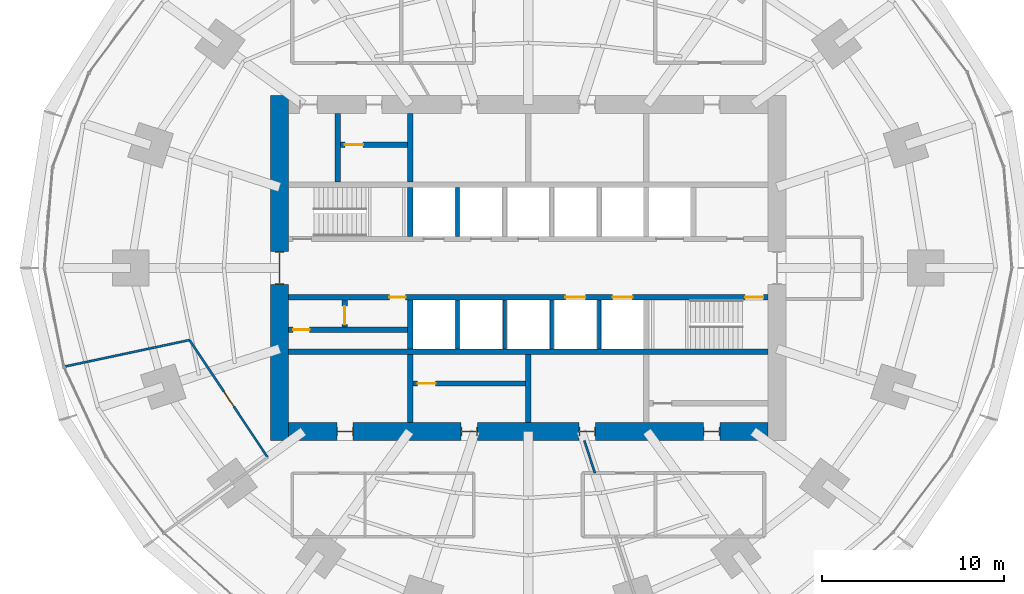
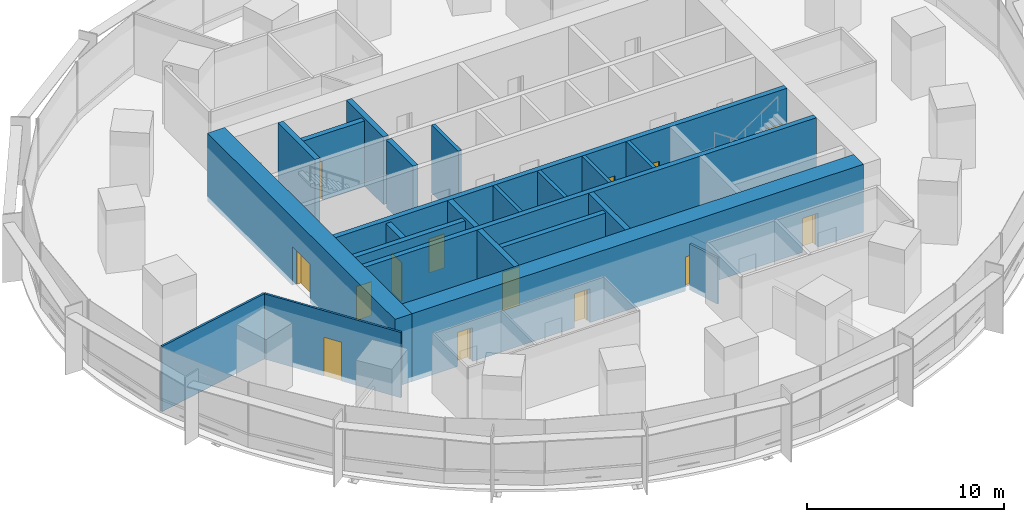
# One storey, part 11 of 15: 22 walls, 14 doors, 14 openings.
"""IFC4 building model written with IfcOpenShell, lengths in metres."""

from ifc_helpers import new_model, si_unit, direction, frame, frame_2d, origin, place, context, subcontext, project, spatial, rectangle, extrude, material, layer, layer_set, type_object, element, fill, save


model = new_model("IFC4")

# Units and contexts
model_context = context("Model", 3, precision=1e-05, world=origin(), true_north=direction((0.0, 1.0)))
body_context = subcontext(model_context, "Body", "Model", "MODEL_VIEW")
ifc_project = project(units=[si_unit("LENGTHUNIT", "METRE"), si_unit("AREAUNIT", "SQUARE_METRE"), si_unit("VOLUMEUNIT", "CUBIC_METRE"), si_unit("PLANEANGLEUNIT", "RADIAN"), si_unit("MASSUNIT", "GRAM", prefix="KILO")], contexts=[model_context])

# Site, building, storey
site_placement = place(None, origin())
site = spatial("IfcSite", under=ifc_project, at=site_placement, CompositionType="ELEMENT")
building_placement = place(site_placement, origin())
building = spatial("IfcBuilding", under=site, at=building_placement, Name="Marramba Exchange Tower", CompositionType="ELEMENT")
storey_placement = place(building_placement, frame((0.0, 0.0, 23.800048828125)))
storey = spatial("IfcBuildingStorey", under=building, at=storey_placement, Name="L05", CompositionType="ELEMENT", Elevation=23.800048828125)

# Walls
ifc_material_1 = material(Name="Concrete N50", Category="concrete")
ifc_layer_1 = layer(ifc_material_1, 0.199951171875)
ifc_layer_set_1 = layer_set([ifc_layer_1], Name="Core shaft wall 200")
wall_type_1 = type_object("IfcWallType", Name="Core shaft wall 200", PredefinedType="SHEAR", material=ifc_layer_set_1)
for number, where, z_axis, x_axis, name in (
    (1, (-3.89990234375, 1.75, 0.0), (0.0, 0.0, 1.0), (0.0, 1.0, 0.0), "Core wall SHN1 L05"),
    (2, (-3.89990234375, -1.75, 0.0), (0.0, 0.0, 1.0), (0.0, -1.0, 0.0), "Core wall SHS1 L05"),
    (3, (-1.300048828125, -1.75, 0.0), (0.0, 0.0, 1.0), (0.0, -1.0, 0.0), "Core wall SHS2 L05"),
    (4, (1.300048828125, -1.75, 0.0), (0.0, 0.0, 1.0), (0.0, -1.0, 0.0), "Core wall SHS3 L05"),
    (5, (3.89990234375, -1.75, 0.0), (0.0, 0.0, 1.0), (0.0, -1.0, 0.0), "Core wall SHS4 L05"),
):
    element("IfcWall", number, at=place(storey_placement, frame(where, z_axis=z_axis, x_axis=x_axis)), inside=storey, type_object=wall_type_1, Name=name, PredefinedType="SHEAR", context=body_context, shape_type="SweptSolid", body=[
        extrude(rectangle(XDim=2.699951171875, YDim=0.199951171875, at=frame_2d((1.35009765625, 0.0))), origin(), (0.0, 0.0, 1.0), 4.199951171875),
    ])

# Wall, openings, doors
ifc_layer_2 = layer(ifc_material_1, 1.0)
ifc_layer_set_2 = layer_set([ifc_layer_2], Name="Core wall 1000")
wall_type_2 = type_object("IfcWallType", Name="Core wall 1000", PredefinedType="SHEAR", material=ifc_layer_set_2)
wall_1_placement = place(storey_placement, frame((-13.199951171875, -9.0, 0.0), z_axis=(0.0, 0.0, 1.0), x_axis=(1.0, 0.0, 0.0)))
wall_1 = element("IfcWall", 6, at=wall_1_placement, inside=storey, type_object=wall_type_2, Name="Core wall S L05", PredefinedType="SHEAR", context=body_context, shape_type="SweptSolid", body=[
    extrude(rectangle(XDim=26.39990234375, YDim=1.0, at=frame_2d((13.199951171875, 0.0))), origin(), (0.0, 0.0, 1.0), 4.199951171875),
])
opening_1_placement = place(wall_1_placement, frame((2.64990234375, 0.0, 0.0)))
opening_1 = element("IfcOpeningElement", 7, at=opening_1_placement, cuts=wall_1, Name="Opening D5", PredefinedType="OPENING", context=body_context, shape_type="SweptSolid", body=[
    extrude(rectangle(XDim=0.89990234375, YDim=2.10009765625, at=frame_2d((0.449951171875, 1.050048828125))), frame((0.0, 0.510009765625, 0.0), z_axis=(0.0, -1.0, 0.0), x_axis=(1.0, 0.0, 0.0)), (0.0, 0.0, 1.0), 1.02001953125),
])
opening_2_placement = place(wall_1_placement, frame((9.5, 0.0, 0.0)))
opening_2 = element("IfcOpeningElement", 8, at=opening_2_placement, cuts=wall_1, Name="Opening D5", PredefinedType="OPENING", context=body_context, shape_type="SweptSolid", body=[
    extrude(rectangle(XDim=0.89990234375, YDim=2.10009765625, at=frame_2d((0.449951171875, 1.050048828125))), frame((0.0, 0.510009765625, 0.0), z_axis=(0.0, -1.0, 0.0), x_axis=(1.0, 0.0, 0.0)), (0.0, 0.0, 1.0), 1.02001953125),
])
opening_3_placement = place(wall_1_placement, frame((16.0, 0.0, 0.0)))
opening_3 = element("IfcOpeningElement", 9, at=opening_3_placement, cuts=wall_1, Name="Opening D5", PredefinedType="OPENING", context=body_context, shape_type="SweptSolid", body=[
    extrude(rectangle(XDim=0.89990234375, YDim=2.10009765625, at=frame_2d((0.449951171875, 1.050048828125))), frame((0.0, 0.510009765625, 0.0), z_axis=(0.0, -1.0, 0.0), x_axis=(1.0, 0.0, 0.0)), (0.0, 0.0, 1.0), 1.02001953125),
])
opening_4_placement = place(wall_1_placement, frame((22.85009765625, 0.0, 0.0)))
opening_4 = element("IfcOpeningElement", 10, at=opening_4_placement, cuts=wall_1, Name="Opening D5", PredefinedType="OPENING", context=body_context, shape_type="SweptSolid", body=[
    extrude(rectangle(XDim=0.89990234375, YDim=2.10009765625, at=frame_2d((0.449951171875, 1.050048828125))), frame((0.0, 0.510009765625, 0.0), z_axis=(0.0, -1.0, 0.0), x_axis=(1.0, 0.0, 0.0)), (0.0, 0.0, 1.0), 1.02001953125),
])
ifc_material_2 = material(Name="Steel-framed door", Category="steel")
door_type_1 = type_object("IfcDoorType", Name="Service door 900x2100", OperationType="SINGLE_SWING_LEFT", PredefinedType="DOOR", material=ifc_material_2)
door_1_placement = place(opening_1_placement, origin())
door_1 = element("IfcDoor", 11, at=door_1_placement, inside=storey, type_object=door_type_1, Name="D5 ahu L05", OperationType="SINGLE_SWING_LEFT", OverallHeight=2.10009765625, OverallWidth=0.89990234375, PredefinedType="DOOR", context=body_context, shape_type="SweptSolid", body=[
    extrude(rectangle(XDim=0.81982421875, YDim=2.06005859375, at=frame_2d((0.449951171875, 1.030029296875))), frame((0.0, 0.02490234375, 0.0), z_axis=(0.0, -1.0, 0.0), x_axis=(1.0, 0.0, 0.0)), (0.0, 0.0, 1.0), 0.050048828125),
    extrude(rectangle(XDim=0.04, YDim=2.10009765625, at=frame_2d((0.02001953125, 1.050048828125))), frame((0.0, 0.25, 0.0), z_axis=(0.0, -1.0, 0.0), x_axis=(1.0, 0.0, 0.0)), (0.0, 0.0, 1.0), 0.5),
    extrude(rectangle(XDim=0.04, YDim=2.10009765625, at=frame_2d((0.8798828125, 1.050048828125))), frame((0.0, 0.25, 0.0), z_axis=(0.0, -1.0, 0.0), x_axis=(1.0, 0.0, 0.0)), (0.0, 0.0, 1.0), 0.5),
    extrude(rectangle(XDim=0.81982421875, YDim=0.04, at=frame_2d((0.449951171875, 2.080078125))), frame((0.0, 0.25, 0.0), z_axis=(0.0, -1.0, 0.0), x_axis=(1.0, 0.0, 0.0)), (0.0, 0.0, 1.0), 0.5),
])
fill(opening_1, door_1)
door_2_placement = place(opening_2_placement, origin())
door_2 = element("IfcDoor", 12, at=door_2_placement, inside=storey, type_object=door_type_1, Name="D5 store L05", OperationType="SINGLE_SWING_RIGHT", OverallHeight=2.10009765625, OverallWidth=0.89990234375, PredefinedType="DOOR", context=body_context, shape_type="SweptSolid", body=[
    extrude(rectangle(XDim=0.81982421875, YDim=2.06005859375, at=frame_2d((0.449951171875, 1.030029296875))), frame((0.0, 0.02490234375, 0.0), z_axis=(0.0, -1.0, 0.0), x_axis=(1.0, 0.0, 0.0)), (0.0, 0.0, 1.0), 0.050048828125),
    extrude(rectangle(XDim=0.04, YDim=2.10009765625, at=frame_2d((0.02001953125, 1.050048828125))), frame((0.0, 0.25, 0.0), z_axis=(0.0, -1.0, 0.0), x_axis=(1.0, 0.0, 0.0)), (0.0, 0.0, 1.0), 0.5),
    extrude(rectangle(XDim=0.04, YDim=2.10009765625, at=frame_2d((0.8798828125, 1.050048828125))), frame((0.0, 0.25, 0.0), z_axis=(0.0, -1.0, 0.0), x_axis=(1.0, 0.0, 0.0)), (0.0, 0.0, 1.0), 0.5),
    extrude(rectangle(XDim=0.81982421875, YDim=0.04, at=frame_2d((0.449951171875, 2.080078125))), frame((0.0, 0.25, 0.0), z_axis=(0.0, -1.0, 0.0), x_axis=(1.0, 0.0, 0.0)), (0.0, 0.0, 1.0), 0.5),
])
fill(opening_2, door_2)
door_3_placement = place(opening_3_placement, origin())
door_3 = element("IfcDoor", 13, at=door_3_placement, inside=storey, type_object=door_type_1, Name="D5 switch L05", OperationType="SINGLE_SWING_RIGHT", OverallHeight=2.10009765625, OverallWidth=0.89990234375, PredefinedType="DOOR", context=body_context, shape_type="SweptSolid", body=[
    extrude(rectangle(XDim=0.81982421875, YDim=2.06005859375, at=frame_2d((0.449951171875, 1.030029296875))), frame((0.0, 0.02490234375, 0.0), z_axis=(0.0, -1.0, 0.0), x_axis=(1.0, 0.0, 0.0)), (0.0, 0.0, 1.0), 0.050048828125),
    extrude(rectangle(XDim=0.04, YDim=2.10009765625, at=frame_2d((0.02001953125, 1.050048828125))), frame((0.0, 0.25, 0.0), z_axis=(0.0, -1.0, 0.0), x_axis=(1.0, 0.0, 0.0)), (0.0, 0.0, 1.0), 0.5),
    extrude(rectangle(XDim=0.04, YDim=2.10009765625, at=frame_2d((0.8798828125, 1.050048828125))), frame((0.0, 0.25, 0.0), z_axis=(0.0, -1.0, 0.0), x_axis=(1.0, 0.0, 0.0)), (0.0, 0.0, 1.0), 0.5),
    extrude(rectangle(XDim=0.81982421875, YDim=0.04, at=frame_2d((0.449951171875, 2.080078125))), frame((0.0, 0.25, 0.0), z_axis=(0.0, -1.0, 0.0), x_axis=(1.0, 0.0, 0.0)), (0.0, 0.0, 1.0), 0.5),
])
fill(opening_3, door_3)
door_4_placement = place(opening_4_placement, origin())
door_4 = element("IfcDoor", 14, at=door_4_placement, inside=storey, type_object=door_type_1, Name="D5 cstore L05", OperationType="SINGLE_SWING_RIGHT", OverallHeight=2.10009765625, OverallWidth=0.89990234375, PredefinedType="DOOR", context=body_context, shape_type="SweptSolid", body=[
    extrude(rectangle(XDim=0.81982421875, YDim=2.06005859375, at=frame_2d((0.449951171875, 1.030029296875))), frame((0.0, 0.02490234375, 0.0), z_axis=(0.0, -1.0, 0.0), x_axis=(1.0, 0.0, 0.0)), (0.0, 0.0, 1.0), 0.050048828125),
    extrude(rectangle(XDim=0.04, YDim=2.10009765625, at=frame_2d((0.02001953125, 1.050048828125))), frame((0.0, 0.25, 0.0), z_axis=(0.0, -1.0, 0.0), x_axis=(1.0, 0.0, 0.0)), (0.0, 0.0, 1.0), 0.5),
    extrude(rectangle(XDim=0.04, YDim=2.10009765625, at=frame_2d((0.8798828125, 1.050048828125))), frame((0.0, 0.25, 0.0), z_axis=(0.0, -1.0, 0.0), x_axis=(1.0, 0.0, 0.0)), (0.0, 0.0, 1.0), 0.5),
    extrude(rectangle(XDim=0.81982421875, YDim=0.04, at=frame_2d((0.449951171875, 2.080078125))), frame((0.0, 0.25, 0.0), z_axis=(0.0, -1.0, 0.0), x_axis=(1.0, 0.0, 0.0)), (0.0, 0.0, 1.0), 0.5),
])
fill(opening_4, door_4)

# Wall, opening, door
wall_2_placement = place(storey_placement, frame((-13.699951171875, 9.5, 0.0), z_axis=(0.0, 0.0, 1.0), x_axis=(0.0, -1.0, 0.0)))
wall_2 = element("IfcWall", 15, at=wall_2_placement, inside=storey, type_object=wall_type_2, Name="Core wall W L05", PredefinedType="SHEAR", context=body_context, shape_type="SweptSolid", body=[
    extrude(rectangle(XDim=19.0, YDim=1.0, at=frame_2d((9.5, 0.0))), origin(), (0.0, 0.0, 1.0), 4.199951171875),
])
opening_5_placement = place(wall_2_placement, frame((8.60009765625, 0.0, 0.0)))
opening_5 = element("IfcOpeningElement", 16, at=opening_5_placement, cuts=wall_2, Name="Opening D1", PredefinedType="OPENING", context=body_context, shape_type="SweptSolid", body=[
    extrude(rectangle(XDim=1.800048828125, YDim=2.39990234375, at=frame_2d((0.89990234375, 1.199951171875))), frame((0.0, 0.510009765625, 0.0), z_axis=(0.0, -1.0, 0.0), x_axis=(1.0, 0.0, 0.0)), (0.0, 0.0, 1.0), 1.02001953125),
])
door_type_2 = type_object("IfcDoorType", Name="Lobby exit door 1800x2400", OperationType="DOUBLE_DOOR_SINGLE_SWING", PredefinedType="DOOR", material=ifc_material_2)
door_5_placement = place(opening_5_placement, origin())
door_5 = element("IfcDoor", 17, at=door_5_placement, inside=storey, type_object=door_type_2, Name="D1 lobby exit west L05", OperationType="DOUBLE_DOOR_SINGLE_SWING", OverallHeight=2.39990234375, OverallWidth=1.800048828125, PredefinedType="DOOR", context=body_context, shape_type="SweptSolid", body=[
    extrude(rectangle(XDim=1.719970703125, YDim=2.35986328125, at=frame_2d((0.89990234375, 1.179931640625))), frame((0.0, 0.02490234375, 0.0), z_axis=(0.0, -1.0, 0.0), x_axis=(1.0, 0.0, 0.0)), (0.0, 0.0, 1.0), 0.050048828125),
    extrude(rectangle(XDim=0.04, YDim=2.39990234375, at=frame_2d((0.02001953125, 1.199951171875))), frame((0.0, 0.25, 0.0), z_axis=(0.0, -1.0, 0.0), x_axis=(1.0, 0.0, 0.0)), (0.0, 0.0, 1.0), 0.5),
    extrude(rectangle(XDim=0.04, YDim=2.39990234375, at=frame_2d((1.780029296875, 1.199951171875))), frame((0.0, 0.25, 0.0), z_axis=(0.0, -1.0, 0.0), x_axis=(1.0, 0.0, 0.0)), (0.0, 0.0, 1.0), 0.5),
    extrude(rectangle(XDim=1.719970703125, YDim=0.04, at=frame_2d((0.89990234375, 2.3798828125))), frame((0.0, 0.25, 0.0), z_axis=(0.0, -1.0, 0.0), x_axis=(1.0, 0.0, 0.0)), (0.0, 0.0, 1.0), 0.5),
])
fill(opening_5, door_5)

# Wall, openings, doors
ifc_layer_3 = layer(ifc_material_1, 0.300048828125)
ifc_layer_set_3 = layer_set([ifc_layer_3], Name="Core wall 300")
wall_type_3 = type_object("IfcWallType", Name="Core wall 300", PredefinedType="SHEAR", material=ifc_layer_set_3)
wall_3_placement = place(storey_placement, frame((-13.199951171875, -1.60009765625, 0.0), z_axis=(0.0, 0.0, 1.0), x_axis=(1.0, 0.0, 0.0)))
wall_3 = element("IfcWall", 18, at=wall_3_placement, inside=storey, type_object=wall_type_3, Name="Core wall LS L05", PredefinedType="SHEAR", context=body_context, shape_type="SweptSolid", body=[
    extrude(rectangle(XDim=26.39990234375, YDim=0.300048828125, at=frame_2d((13.199951171875, 0.0))), origin(), (0.0, 0.0, 1.0), 4.199951171875),
])
opening_6_placement = place(wall_3_placement, frame((25.14990234375, 0.0, 0.0)))
opening_6 = element("IfcOpeningElement", 19, at=opening_6_placement, cuts=wall_3, Name="Opening D2", PredefinedType="OPENING", context=body_context, shape_type="SweptSolid", body=[
    extrude(rectangle(XDim=1.0, YDim=2.10009765625, at=frame_2d((0.5, 1.050048828125))), frame((0.0, 0.159912109375, 0.0), z_axis=(0.0, -1.0, 0.0), x_axis=(1.0, 0.0, 0.0)), (0.0, 0.0, 1.0), 0.320068359375),
])
opening_7_placement = place(wall_3_placement, frame((15.25, 0.0, 0.0)))
opening_7 = element("IfcOpeningElement", 20, at=opening_7_placement, cuts=wall_3, Name="Opening LD2", PredefinedType="OPENING", context=body_context, shape_type="SweptSolid", body=[
    extrude(rectangle(XDim=1.10009765625, YDim=2.300048828125, at=frame_2d((0.550048828125, 1.14990234375))), frame((0.0, 0.159912109375, 0.0), z_axis=(0.0, -1.0, 0.0), x_axis=(1.0, 0.0, 0.0)), (0.0, 0.0, 1.0), 0.320068359375),
])
opening_8_placement = place(wall_3_placement, frame((17.85009765625, 0.0, 0.0)))
opening_8 = element("IfcOpeningElement", 21, at=opening_8_placement, cuts=wall_3, Name="Opening LD2", PredefinedType="OPENING", context=body_context, shape_type="SweptSolid", body=[
    extrude(rectangle(XDim=1.10009765625, YDim=2.300048828125, at=frame_2d((0.550048828125, 1.14990234375))), frame((0.0, 0.159912109375, 0.0), z_axis=(0.0, -1.0, 0.0), x_axis=(1.0, 0.0, 0.0)), (0.0, 0.0, 1.0), 0.320068359375),
])
opening_9_placement = place(wall_3_placement, frame((5.550048828125, 0.0, 0.0)))
opening_9 = element("IfcOpeningElement", 22, at=opening_9_placement, cuts=wall_3, Name="Opening D5", PredefinedType="OPENING", context=body_context, shape_type="SweptSolid", body=[
    extrude(rectangle(XDim=0.89990234375, YDim=2.10009765625, at=frame_2d((0.449951171875, 1.050048828125))), frame((0.0, 0.159912109375, 0.0), z_axis=(0.0, -1.0, 0.0), x_axis=(1.0, 0.0, 0.0)), (0.0, 0.0, 1.0), 0.320068359375),
])
door_type_3 = type_object("IfcDoorType", Name="Emergency lift landing door 1100x2300", OperationType="SLIDING_TO_LEFT", PredefinedType="DOOR", material=ifc_material_2)
door_6_placement = place(opening_7_placement, frame((1.10009765625, 0.0, 0.0), z_axis=(0.0, 0.0, 1.0), x_axis=(-1.0, 0.0, 0.0)))
door_6 = element("IfcDoor", 23, at=door_6_placement, inside=storey, type_object=door_type_3, Name="FL1 landing door L05", OperationType="SLIDING_TO_RIGHT", OverallHeight=2.300048828125, OverallWidth=1.10009765625, PredefinedType="DOOR", context=body_context, shape_type="SweptSolid", body=[
    extrude(rectangle(XDim=1.10009765625, YDim=2.300048828125, at=frame_2d((0.550048828125, 1.14990234375))), frame((0.0, 0.025146484375, 0.0), z_axis=(0.0, -1.0, 0.0), x_axis=(1.0, 0.0, 0.0)), (0.0, 0.0, 1.0), 0.050048828125),
])
fill(opening_7, door_6)
door_7_placement = place(opening_8_placement, frame((1.10009765625, 0.0, 0.0), z_axis=(0.0, 0.0, 1.0), x_axis=(-1.0, 0.0, 0.0)))
door_7 = element("IfcDoor", 24, at=door_7_placement, inside=storey, type_object=door_type_3, Name="FL2 landing door L05", OperationType="SLIDING_TO_LEFT", OverallHeight=2.300048828125, OverallWidth=1.10009765625, PredefinedType="DOOR", context=body_context, shape_type="SweptSolid", body=[
    extrude(rectangle(XDim=1.10009765625, YDim=2.300048828125, at=frame_2d((0.550048828125, 1.14990234375))), frame((0.0, 0.025146484375, 0.0), z_axis=(0.0, -1.0, 0.0), x_axis=(1.0, 0.0, 0.0)), (0.0, 0.0, 1.0), 0.050048828125),
])
fill(opening_8, door_7)
door_8_placement = place(opening_9_placement, frame((0.89990234375, 0.0, 0.0), z_axis=(0.0, 0.0, 1.0), x_axis=(-1.0, 0.0, 0.0)))
door_8 = element("IfcDoor", 25, at=door_8_placement, inside=storey, type_object=door_type_1, Name="D5 electrical riser L05", OperationType="SINGLE_SWING_LEFT", OverallHeight=2.10009765625, OverallWidth=0.89990234375, PredefinedType="DOOR", context=body_context, shape_type="SweptSolid", body=[
    extrude(rectangle(XDim=0.89990234375, YDim=2.10009765625, at=frame_2d((0.449951171875, 1.050048828125))), frame((0.0, 0.025146484375, 0.0), z_axis=(0.0, -1.0, 0.0), x_axis=(1.0, 0.0, 0.0)), (0.0, 0.0, 1.0), 0.050048828125),
])
fill(opening_9, door_8)
door_type_4 = type_object("IfcDoorType", Name="Stair door 1000x2100", OperationType="SINGLE_SWING_LEFT", PredefinedType="DOOR", material=ifc_material_2)
door_9_placement = place(opening_6_placement, frame((1.0, 0.0, 0.0), z_axis=(0.0, 0.0, 1.0), x_axis=(-1.0, 0.0, 0.0)))
door_9 = element("IfcDoor", 26, at=door_9_placement, inside=storey, type_object=door_type_4, Name="D2 stair ST2 L05", OperationType="SINGLE_SWING_LEFT", OverallHeight=2.10009765625, OverallWidth=1.0, PredefinedType="DOOR", context=body_context, shape_type="SweptSolid", body=[
    extrude(rectangle(XDim=1.0, YDim=2.10009765625, at=frame_2d((0.5, 1.050048828125))), frame((0.0, 0.025146484375, 0.0), z_axis=(0.0, -1.0, 0.0), x_axis=(1.0, 0.0, 0.0)), (0.0, 0.0, 1.0), 0.050048828125),
])
fill(opening_6, door_9)

# Walls
wall_4_placement = place(storey_placement, frame((-13.199951171875, -4.60009765625, 0.0), z_axis=(0.0, 0.0, 1.0), x_axis=(1.0, 0.0, 0.0)))
element("IfcWall", 27, at=wall_4_placement, inside=storey, type_object=wall_type_3, Name="Core wall BS L05", PredefinedType="SHEAR", context=body_context, shape_type="SweptSolid", body=[
    extrude(rectangle(XDim=26.39990234375, YDim=0.300048828125, at=frame_2d((13.199951171875, 0.0))), origin(), (0.0, 0.0, 1.0), 4.199951171875),
])
wall_5_placement = place(storey_placement, frame((-6.5, 1.75, 0.0), z_axis=(0.0, 0.0, 1.0), x_axis=(0.0, 1.0, 0.0)))
element("IfcWall", 28, at=wall_5_placement, inside=storey, type_object=wall_type_3, Name="Core wall X0Na L05", PredefinedType="SHEAR", context=body_context, shape_type="SweptSolid", body=[
    extrude(rectangle(XDim=2.699951171875, YDim=0.300048828125, at=frame_2d((1.35009765625, 0.0))), origin(), (0.0, 0.0, 1.0), 4.199951171875),
])
wall_6_placement = place(storey_placement, frame((-6.5, 4.75, 0.0), z_axis=(0.0, 0.0, 1.0), x_axis=(0.0, 1.0, 0.0)))
element("IfcWall", 29, at=wall_6_placement, inside=storey, type_object=wall_type_3, Name="Core wall X0Nb L05", PredefinedType="SHEAR", context=body_context, shape_type="SweptSolid", body=[
    extrude(rectangle(XDim=3.75, YDim=0.300048828125, at=frame_2d((1.875, 0.0))), origin(), (0.0, 0.0, 1.0), 4.199951171875),
])
wall_7_placement = place(storey_placement, frame((-6.5, -1.75, 0.0), z_axis=(0.0, 0.0, 1.0), x_axis=(0.0, -1.0, 0.0)))
element("IfcWall", 30, at=wall_7_placement, inside=storey, type_object=wall_type_3, Name="Core wall X0Sa L05", PredefinedType="SHEAR", context=body_context, shape_type="SweptSolid", body=[
    extrude(rectangle(XDim=2.699951171875, YDim=0.300048828125, at=frame_2d((1.35009765625, 0.0))), origin(), (0.0, 0.0, 1.0), 4.199951171875),
])
for number, where, z_axis, x_axis, name in (
    (31, (-6.5, -4.75, 0.0), (0.0, 0.0, 1.0), (0.0, -1.0, 0.0), "Core wall X0Sb L05"),
    (32, (0.0, -4.75, 0.0), (0.0, 0.0, 1.0), (0.0, -1.0, 0.0), "Core wall MS L05"),
    (33, (-10.5, 4.75, 0.0), (0.0, 0.0, 1.0), (0.0, 1.0, 0.0), "Core wall WD L05"),
):
    element("IfcWall", number, at=place(storey_placement, frame(where, z_axis=z_axis, x_axis=x_axis)), inside=storey, type_object=wall_type_3, Name=name, PredefinedType="SHEAR", context=body_context, shape_type="SweptSolid", body=[
        extrude(rectangle(XDim=3.75, YDim=0.300048828125, at=frame_2d((1.875, 0.0))), origin(), (0.0, 0.0, 1.0), 4.199951171875),
    ])
ifc_material_3 = material(Name="Plasterboard on steel studs", Category="steel")
ifc_layer_4 = layer(ifc_material_3, 0.1201171875)
ifc_layer_set_4 = layer_set([ifc_layer_4], Name="Partition 120")
wall_type_4 = type_object("IfcWallType", Name="Partition 120", PredefinedType="PARTITIONING", material=ifc_layer_set_4)
wall_8_placement = place(storey_placement, frame((-18.659423828125, -3.96630859375, 0.0), z_axis=(0.0, 0.0, 1.0), x_axis=(-0.978148655968, -0.207906726269, 0.0)))
element("IfcWall", 34, at=wall_8_placement, inside=storey, type_object=wall_type_4, Name="Partition L05 01", PredefinedType="PARTITIONING", context=body_context, shape_type="SweptSolid", body=[
    extrude(rectangle(XDim=7.0, YDim=0.1201171875, at=frame_2d((3.5, 0.0))), origin(), (0.0, 0.0, 1.0), 4.0400390625),
])

# Wall, opening, door
wall_9_placement = place(storey_placement, frame((-14.357666015625, -10.431396484375, 0.0), z_axis=(0.0, 0.0, 1.0), x_axis=(-0.553959944771, 0.832543319948, 0.0)))
wall_9 = element("IfcWall", 35, at=wall_9_placement, inside=storey, type_object=wall_type_4, Name="Partition L05 02", PredefinedType="PARTITIONING", context=body_context, shape_type="SweptSolid", body=[
    extrude(rectangle(XDim=7.765380859375, YDim=0.1201171875, at=frame_2d((3.8828125, 0.0))), origin(), (0.0, 0.0, 1.0), 4.0400390625),
])
opening_10_placement = place(wall_9_placement, frame((3.35791015625, 0.0, 0.0)))
opening_10 = element("IfcOpeningElement", 36, at=opening_10_placement, cuts=wall_9, Name="Opening D9", PredefinedType="OPENING", context=body_context, shape_type="SweptSolid", body=[
    extrude(rectangle(XDim=1.0, YDim=2.39990234375, at=frame_2d((0.5, 1.199951171875))), frame((0.0, 0.070068359375, 0.0), z_axis=(0.0, -1.0, 0.0), x_axis=(1.0, 0.0, 0.0)), (0.0, 0.0, 1.0), 0.14013671875),
])
ifc_material_4 = material(Name="Timber door", Category="wood")
door_type_5 = type_object("IfcDoorType", Name="Room door 1000x2400", OperationType="SINGLE_SWING_LEFT", PredefinedType="DOOR", material=ifc_material_4)
door_10_placement = place(opening_10_placement, origin())
door_10 = element("IfcDoor", 37, at=door_10_placement, inside=storey, type_object=door_type_5, Name="D9 Head of Desk Office L05", OperationType="SINGLE_SWING_LEFT", OverallHeight=2.39990234375, OverallWidth=1.0, PredefinedType="DOOR", context=body_context, shape_type="SweptSolid", body=[
    extrude(rectangle(XDim=1.0, YDim=2.39990234375, at=frame_2d((0.5, 1.199951171875))), frame((0.0, 0.02490234375, 0.0), z_axis=(0.0, -1.0, 0.0), x_axis=(1.0, 0.0, 0.0)), (0.0, 0.0, 1.0), 0.050048828125),
])
fill(opening_10, door_10)

# Wall
wall_10_placement = place(storey_placement, frame((3.671630859375, -11.300048828125, 0.0), z_axis=(0.0, 0.0, 1.0), x_axis=(-0.309059822154, 0.95104259964, 0.0)))
element("IfcWall", 38, at=wall_10_placement, inside=storey, type_object=wall_type_4, Name="Partition L05 10", PredefinedType="PARTITIONING", context=body_context, shape_type="SweptSolid", body=[
    extrude(rectangle(XDim=1.892822265625, YDim=0.1201171875, at=frame_2d((0.9462890625, 0.0))), origin(), (0.0, 0.0, 1.0), 2.83984375),
])

# Wall, opening, door
ifc_material_5 = material(Name="Core-filled concrete blockwork", Category="masonry")
ifc_layer_5 = layer(ifc_material_5, 0.300048828125)
ifc_layer_set_5 = layer_set([ifc_layer_5], Name="Riser enclosure wall 300")
wall_type_5 = type_object("IfcWallType", Name="Riser enclosure wall 300", PredefinedType="SOLIDWALL", material=ifc_layer_set_5)
wall_11_placement = place(storey_placement, frame((-13.199951171875, -3.39990234375, 0.0), z_axis=(0.0, 0.0, 1.0), x_axis=(1.0, 0.0, 0.0)))
wall_11 = element("IfcWall", 39, at=wall_11_placement, inside=storey, type_object=wall_type_5, Name="Riser enclosure wall L05", PredefinedType="SOLIDWALL", context=body_context, shape_type="SweptSolid", body=[
    extrude(rectangle(XDim=6.550048828125, YDim=0.300048828125, at=frame_2d((3.27490234375, 0.0))), origin(), (0.0, 0.0, 1.0), 4.0400390625),
])
opening_11_placement = place(wall_11_placement, frame((0.25, 0.0, 0.0)))
opening_11 = element("IfcOpeningElement", 40, at=opening_11_placement, cuts=wall_11, Name="Opening D5", PredefinedType="OPENING", context=body_context, shape_type="SweptSolid", body=[
    extrude(rectangle(XDim=0.89990234375, YDim=2.10009765625, at=frame_2d((0.449951171875, 1.050048828125))), frame((0.0, 0.159912109375, 0.0), z_axis=(0.0, -1.0, 0.0), x_axis=(1.0, 0.0, 0.0)), (0.0, 0.0, 1.0), 0.320068359375),
])
door_11_placement = place(opening_11_placement, origin())
door_11 = element("IfcDoor", 41, at=door_11_placement, inside=storey, type_object=door_type_1, Name="D5 electrical riser back L05", OperationType="SINGLE_SWING_LEFT", OverallHeight=2.10009765625, OverallWidth=0.89990234375, PredefinedType="DOOR", context=body_context, shape_type="SweptSolid", body=[
    extrude(rectangle(XDim=0.89990234375, YDim=2.10009765625, at=frame_2d((0.449951171875, 1.050048828125))), frame((0.0, 0.02490234375, 0.0), z_axis=(0.0, -1.0, 0.0), x_axis=(1.0, 0.0, 0.0)), (0.0, 0.0, 1.0), 0.050048828125),
])
fill(opening_11, door_11)

ifc_material_6 = material(Name="Plasterboard on steel studs, insulated, unrated", Category="steel")
ifc_layer_6 = layer(ifc_material_6, 0.300048828125)
ifc_layer_set_6 = layer_set([ifc_layer_6], Name="Store partition 300")
wall_type_6 = type_object("IfcWallType", Name="Store partition 300", PredefinedType="PARTITIONING", material=ifc_layer_set_6)
wall_12_placement = place(storey_placement, frame((-10.35009765625, 6.800048828125, 0.0), z_axis=(0.0, 0.0, 1.0), x_axis=(1.0, 0.0, 0.0)))
wall_12 = element("IfcWall", 42, at=wall_12_placement, inside=storey, type_object=wall_type_6, Name="Store partition L05 cleaner", PredefinedType="PARTITIONING", context=body_context, shape_type="SweptSolid", body=[
    extrude(rectangle(XDim=3.7001953125, YDim=0.300048828125, at=frame_2d((1.85009765625, 0.0))), origin(), (0.0, 0.0, 1.0), 4.0400390625),
])
opening_12_placement = place(wall_12_placement, frame((0.25, 0.0, 0.0)))
opening_12 = element("IfcOpeningElement", 43, at=opening_12_placement, cuts=wall_12, Name="Opening D9", PredefinedType="OPENING", context=body_context, shape_type="SweptSolid", body=[
    extrude(rectangle(XDim=1.0, YDim=2.39990234375, at=frame_2d((0.5, 1.199951171875))), frame((0.0, 0.159912109375, 0.0), z_axis=(0.0, -1.0, 0.0), x_axis=(1.0, 0.0, 0.0)), (0.0, 0.0, 1.0), 0.320068359375),
])
door_12_placement = place(opening_12_placement, origin())
door_12 = element("IfcDoor", 44, at=door_12_placement, inside=storey, type_object=door_type_5, Name="D9 cleaning store L05", OperationType="SINGLE_SWING_LEFT", OverallHeight=2.39990234375, OverallWidth=1.0, PredefinedType="DOOR", context=body_context, shape_type="SweptSolid", body=[
    extrude(rectangle(XDim=1.0, YDim=2.39990234375, at=frame_2d((0.5, 1.199951171875))), frame((0.0, 0.02490234375, 0.0), z_axis=(0.0, -1.0, 0.0), x_axis=(1.0, 0.0, 0.0)), (0.0, 0.0, 1.0), 0.050048828125),
])
fill(opening_12, door_12)

wall_13_placement = place(storey_placement, frame((-6.35009765625, -6.360107421875, 0.0), z_axis=(0.0, 0.0, 1.0), x_axis=(1.0, 0.0, 0.0)))
wall_13 = element("IfcWall", 45, at=wall_13_placement, inside=storey, type_object=wall_type_6, Name="Store partition L05 store", PredefinedType="PARTITIONING", context=body_context, shape_type="SweptSolid", body=[
    extrude(rectangle(XDim=6.2001953125, YDim=0.300048828125, at=frame_2d((3.10009765625, 0.0))), origin(), (0.0, 0.0, 1.0), 4.0400390625),
])
opening_13_placement = place(wall_13_placement, frame((0.25, 0.0, 0.0)))
opening_13 = element("IfcOpeningElement", 46, at=opening_13_placement, cuts=wall_13, Name="Opening D9", PredefinedType="OPENING", context=body_context, shape_type="SweptSolid", body=[
    extrude(rectangle(XDim=1.0, YDim=2.39990234375, at=frame_2d((0.5, 1.199951171875))), frame((0.0, 0.159912109375, 0.0), z_axis=(0.0, -1.0, 0.0), x_axis=(1.0, 0.0, 0.0)), (0.0, 0.0, 1.0), 0.320068359375),
])
door_13_placement = place(opening_13_placement, origin())
door_13 = element("IfcDoor", 47, at=door_13_placement, inside=storey, type_object=door_type_5, Name="D9 stationery store L05", OperationType="SINGLE_SWING_LEFT", OverallHeight=2.39990234375, OverallWidth=1.0, PredefinedType="DOOR", context=body_context, shape_type="SweptSolid", body=[
    extrude(rectangle(XDim=1.0, YDim=2.39990234375, at=frame_2d((0.5, 1.199951171875))), frame((0.0, 0.02490234375, 0.0), z_axis=(0.0, -1.0, 0.0), x_axis=(1.0, 0.0, 0.0)), (0.0, 0.0, 1.0), 0.050048828125),
])
fill(opening_13, door_13)

wall_14_placement = place(storey_placement, frame((-10.10009765625, -3.25, 0.0), z_axis=(0.0, 0.0, 1.0), x_axis=(0.0, 1.0, 0.0)))
wall_14 = element("IfcWall", 48, at=wall_14_placement, inside=storey, type_object=wall_type_6, Name="Store partition L05 tool store", PredefinedType="PARTITIONING", context=body_context, shape_type="SweptSolid", body=[
    extrude(rectangle(XDim=1.5, YDim=0.300048828125, at=frame_2d((0.75, 0.0))), origin(), (0.0, 0.0, 1.0), 4.0400390625),
])
opening_14_placement = place(wall_14_placement, frame((0.14990234375, 0.0, 0.0)))
opening_14 = element("IfcOpeningElement", 49, at=opening_14_placement, cuts=wall_14, Name="Opening D9", PredefinedType="OPENING", context=body_context, shape_type="SweptSolid", body=[
    extrude(rectangle(XDim=1.0, YDim=2.39990234375, at=frame_2d((0.5, 1.199951171875))), frame((0.0, 0.159912109375, 0.0), z_axis=(0.0, -1.0, 0.0), x_axis=(1.0, 0.0, 0.0)), (0.0, 0.0, 1.0), 0.320068359375),
])
door_14_placement = place(opening_14_placement, origin())
door_14 = element("IfcDoor", 50, at=door_14_placement, inside=storey, type_object=door_type_5, Name="D9 tool store L05", OperationType="SINGLE_SWING_LEFT", OverallHeight=2.39990234375, OverallWidth=1.0, PredefinedType="DOOR", context=body_context, shape_type="SweptSolid", body=[
    extrude(rectangle(XDim=1.0, YDim=2.39990234375, at=frame_2d((0.5, 1.199951171875))), frame((0.0, 0.02490234375, 0.0), z_axis=(0.0, -1.0, 0.0), x_axis=(1.0, 0.0, 0.0)), (0.0, 0.0, 1.0), 0.050048828125),
])
fill(opening_14, door_14)

save(model, "model.ifc")
